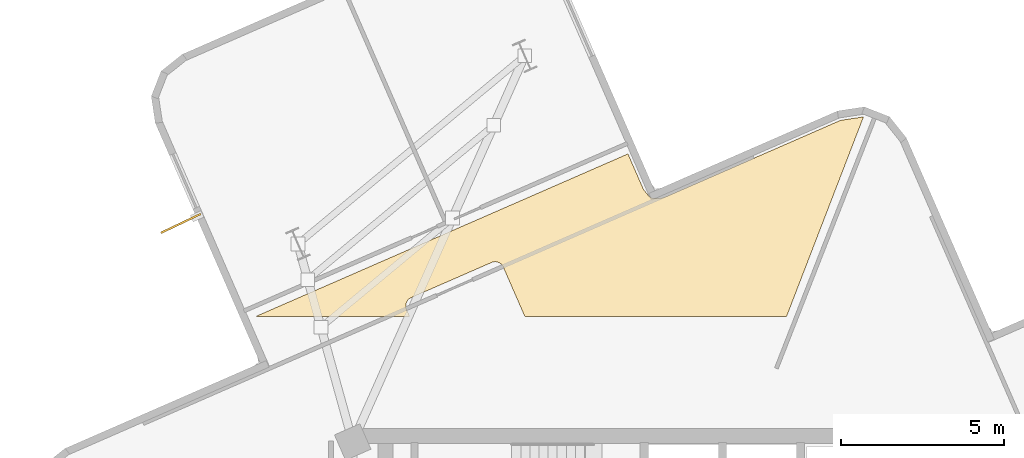
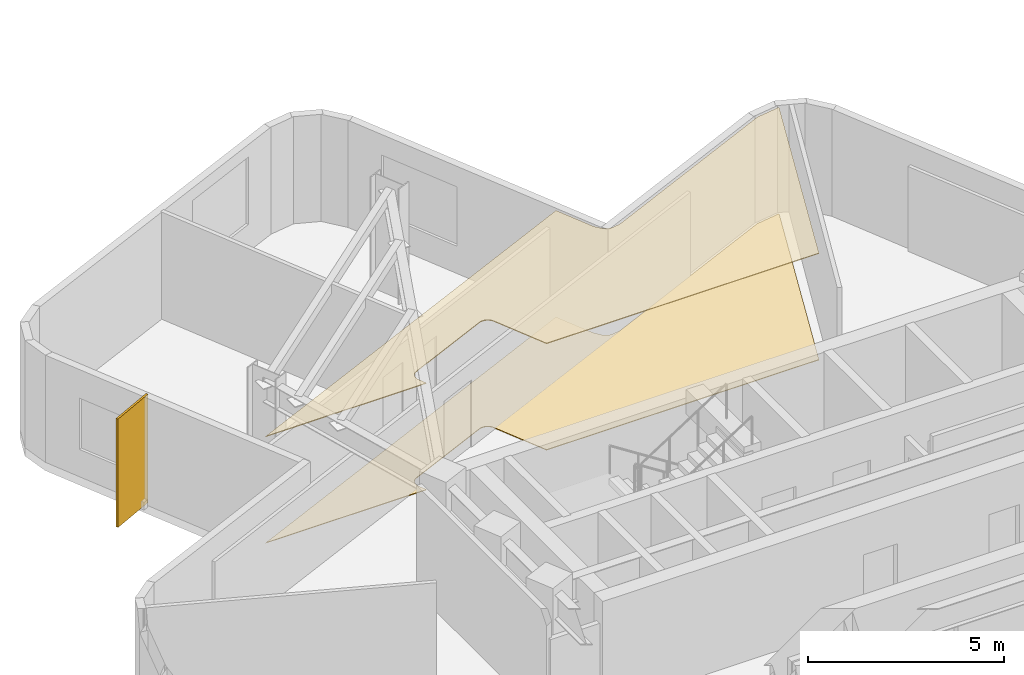
# One storey, part 8 of 8: 2 coverings, 1 shading device.
"""IFC4 building model written with IfcOpenShell, lengths in metres."""

from ifc_helpers import new_model, si_unit, direction, frame, origin, origin_2d, place, context, subcontext, project, spatial, polyline, rectangle, outline, extrude, material, layer, layer_set, type_object, element, save


model = new_model("IFC4")

# Units and contexts
model_context = context("Model", 3, precision=1e-05, world=origin(), true_north=direction((0.0, 1.0)))
body_context = subcontext(model_context, "Body", "Model", "MODEL_VIEW")
ifc_project = project(units=[si_unit("LENGTHUNIT", "METRE"), si_unit("AREAUNIT", "SQUARE_METRE"), si_unit("VOLUMEUNIT", "CUBIC_METRE"), si_unit("PLANEANGLEUNIT", "RADIAN"), si_unit("MASSUNIT", "GRAM", prefix="KILO")], contexts=[model_context])

# Site, building, storey
site_placement = place(None, origin())
site = spatial("IfcSite", under=ifc_project, at=site_placement, CompositionType="ELEMENT")
building_placement = place(site_placement, origin())
building = spatial("IfcBuilding", under=site, at=building_placement, Name="Solmarez Civic Tower", CompositionType="ELEMENT")
storey_placement = place(building_placement, frame((0.0, 0.0, 181.080078125)))
storey = spatial("IfcBuildingStorey", under=building, at=storey_placement, Name="L48", CompositionType="ELEMENT", Elevation=181.080078125)

# Coverings
ifc_material_1 = material(Name="Perforated Mineral-Fibre Acoustic Ceiling")
ifc_layer_1 = layer(ifc_material_1, 0.02490234375)
ifc_layer_set_1 = layer_set([ifc_layer_1], Name="Perforated Mineral-Fibre Acoustic Ceiling")
covering_type_1 = type_object("IfcCoveringType", Name="COV-CEIL-ACOUSTIC", PredefinedType="CEILING", material=ifc_layer_set_1)
covering_1_placement = place(storey_placement, frame((0.0, 0.0, 3.31494140625)))
element("IfcCovering", 1, at=covering_1_placement, inside=storey, type_object=covering_type_1, Name="L48 Suspended Acoustic Ceiling 2", PredefinedType="CEILING", context=body_context, shape_type="SweptSolid", body=[
    extrude(outline(polyline([(-11.841064453125, 12.199951171875), (-7.097900390625, 12.199951171875), (-7.197998046875, 12.427978515625), (-7.205078125, 12.446044921875), (-7.2080078125, 12.455078125), (-7.215087890625, 12.48193359375), (-7.216064453125, 12.487060546875), (-7.218994140625, 12.508056640625), (-7.219970703125, 12.530029296875), (-7.219970703125, 12.5400390625), (-7.218994140625, 12.56201171875), (-7.216064453125, 12.5830078125), (-7.215087890625, 12.587890625), (-7.214111328125, 12.593017578125), (-7.2119140625, 12.60205078125), (-7.20703125, 12.618896484375), (-7.200927734375, 12.635986328125), (-7.198974609375, 12.64111328125), (-7.19091796875, 12.657958984375), (-7.181884765625, 12.675048828125), (-7.16796875, 12.695068359375), (-7.162109375, 12.702880859375), (-7.14697265625, 12.720947265625), (-7.12890625, 12.738037109375), (-7.1220703125, 12.743896484375), (-7.10498046875, 12.758056640625), (-7.0859375, 12.76904296875), (-7.076904296875, 12.77392578125), (-7.05810546875, 12.783935546875), (-4.583984375, 13.864990234375), (-4.56591796875, 13.8720703125), (-4.556884765625, 13.875), (-4.530029296875, 13.882080078125), (-4.52490234375, 13.883056640625), (-4.50390625, 13.885986328125), (-4.48193359375, 13.886962890625), (-4.471923828125, 13.886962890625), (-4.449951171875, 13.885986328125), (-4.428955078125, 13.883056640625), (-4.424072265625, 13.882080078125), (-4.4189453125, 13.881103515625), (-4.409912109375, 13.87890625), (-4.39306640625, 13.8740234375), (-4.3759765625, 13.867919921875), (-4.37109375, 13.865966796875), (-4.35400390625, 13.85791015625), (-4.3369140625, 13.84912109375), (-4.321044921875, 13.837890625), (-4.30908203125, 13.8291015625), (-4.291015625, 13.81396484375), (-4.27392578125, 13.7958984375), (-4.26806640625, 13.7890625), (-4.25390625, 13.77197265625), (-4.242919921875, 13.7529296875), (-4.238037109375, 13.743896484375), (-4.22802734375, 13.72509765625), (-3.56201171875, 12.199951171875), (4.468994140625, 12.199951171875), (6.83203125, 18.330078125), (6.825927734375, 18.3330078125), (6.1259765625, 18.22705078125), (0.738037109375, 15.8720703125), (0.7099609375, 15.862060546875), (0.702880859375, 15.860107421875), (0.696044921875, 15.85791015625), (0.672119140625, 15.85302734375), (0.6630859375, 15.85107421875), (0.489990234375, 15.824951171875), (0.48291015625, 15.823974609375), (0.451904296875, 15.822021484375), (0.444091796875, 15.822021484375), (0.4130859375, 15.823974609375), (0.407958984375, 15.824951171875), (0.402099609375, 15.825927734375), (0.385009765625, 15.827880859375), (0.368896484375, 15.83203125), (0.362060546875, 15.833984375), (0.3349609375, 15.843994140625), (0.321044921875, 15.85009765625), (0.302001953125, 15.85888671875), (0.283935546875, 15.8701171875), (0.26708984375, 15.883056640625), (0.2548828125, 15.89208984375), (0.2490234375, 15.89697265625), (0.23388671875, 15.909912109375), (0.220947265625, 15.925048828125), (0.216064453125, 15.930908203125), (0.212890625, 15.93505859375), (0.10595703125, 16.070068359375), (0.10205078125, 16.074951171875), (0.091064453125, 16.090087890625), (0.0869140625, 16.095947265625), (0.072998046875, 16.1201171875), (0.070068359375, 16.1259765625), (0.06494140625, 16.135986328125), (-0.39892578125, 17.197998046875), (-11.841064453125, 12.199951171875)])), origin(), (0.0, 0.0, 1.0), 0.02490234375),
])
ifc_material_2 = material(Name="Polished Tropical Stone Terrazzo Flooring", Category="masonry")
ifc_layer_2 = layer(ifc_material_2, 0.02001953125)
ifc_layer_set_2 = layer_set([ifc_layer_2], Name="Polished Tropical Stone Terrazzo Flooring")
covering_type_2 = type_object("IfcCoveringType", Name="COV-FLOOR-TERRAZZO", PredefinedType="FLOORING", material=ifc_layer_set_2)
covering_2_placement = place(storey_placement, origin())
element("IfcCovering", 2, at=covering_2_placement, inside=storey, type_object=covering_type_2, Name="L48 Terrazzo Floor Finish 2", PredefinedType="FLOORING", context=body_context, shape_type="SweptSolid", body=[
    extrude(outline(polyline([(-11.841064453125, 12.199951171875), (-7.097900390625, 12.199951171875), (-7.197998046875, 12.427978515625), (-7.205078125, 12.446044921875), (-7.2080078125, 12.455078125), (-7.215087890625, 12.48193359375), (-7.216064453125, 12.487060546875), (-7.218994140625, 12.508056640625), (-7.219970703125, 12.530029296875), (-7.219970703125, 12.5400390625), (-7.218994140625, 12.56201171875), (-7.216064453125, 12.5830078125), (-7.215087890625, 12.587890625), (-7.214111328125, 12.593017578125), (-7.2119140625, 12.60205078125), (-7.20703125, 12.618896484375), (-7.200927734375, 12.635986328125), (-7.198974609375, 12.64111328125), (-7.19091796875, 12.657958984375), (-7.181884765625, 12.675048828125), (-7.16796875, 12.695068359375), (-7.162109375, 12.702880859375), (-7.14697265625, 12.720947265625), (-7.12890625, 12.738037109375), (-7.1220703125, 12.743896484375), (-7.10498046875, 12.758056640625), (-7.0859375, 12.76904296875), (-7.076904296875, 12.77392578125), (-7.05810546875, 12.783935546875), (-4.583984375, 13.864990234375), (-4.56591796875, 13.8720703125), (-4.556884765625, 13.875), (-4.530029296875, 13.882080078125), (-4.52490234375, 13.883056640625), (-4.50390625, 13.885986328125), (-4.48193359375, 13.886962890625), (-4.471923828125, 13.886962890625), (-4.449951171875, 13.885986328125), (-4.428955078125, 13.883056640625), (-4.424072265625, 13.882080078125), (-4.4189453125, 13.881103515625), (-4.409912109375, 13.87890625), (-4.39306640625, 13.8740234375), (-4.3759765625, 13.867919921875), (-4.37109375, 13.865966796875), (-4.35400390625, 13.85791015625), (-4.3369140625, 13.84912109375), (-4.321044921875, 13.837890625), (-4.30908203125, 13.8291015625), (-4.291015625, 13.81396484375), (-4.27392578125, 13.7958984375), (-4.26806640625, 13.7890625), (-4.25390625, 13.77197265625), (-4.242919921875, 13.7529296875), (-4.238037109375, 13.743896484375), (-4.22802734375, 13.72509765625), (-3.56201171875, 12.199951171875), (4.468994140625, 12.199951171875), (6.83203125, 18.330078125), (6.825927734375, 18.3330078125), (6.1259765625, 18.22705078125), (0.738037109375, 15.8720703125), (0.7099609375, 15.862060546875), (0.702880859375, 15.860107421875), (0.696044921875, 15.85791015625), (0.672119140625, 15.85302734375), (0.6630859375, 15.85107421875), (0.489990234375, 15.824951171875), (0.48291015625, 15.823974609375), (0.451904296875, 15.822021484375), (0.444091796875, 15.822021484375), (0.4130859375, 15.823974609375), (0.407958984375, 15.824951171875), (0.402099609375, 15.825927734375), (0.385009765625, 15.827880859375), (0.368896484375, 15.83203125), (0.362060546875, 15.833984375), (0.3349609375, 15.843994140625), (0.321044921875, 15.85009765625), (0.302001953125, 15.85888671875), (0.283935546875, 15.8701171875), (0.26708984375, 15.883056640625), (0.2548828125, 15.89208984375), (0.2490234375, 15.89697265625), (0.23388671875, 15.909912109375), (0.220947265625, 15.925048828125), (0.216064453125, 15.930908203125), (0.212890625, 15.93505859375), (0.10595703125, 16.070068359375), (0.10205078125, 16.074951171875), (0.091064453125, 16.090087890625), (0.0869140625, 16.095947265625), (0.072998046875, 16.1201171875), (0.070068359375, 16.1259765625), (0.06494140625, 16.135986328125), (-0.39892578125, 17.197998046875), (-11.841064453125, 12.199951171875)])), origin(), (0.0, 0.0, 1.0), 0.02001953125),
])

# Shading device
ifc_material_3 = material(Name="Bronze Anodised Aluminium EN AW-6063 T6", Category="aluminium")
ifc_layer_3 = layer(ifc_material_3, 0.06005859375)
ifc_layer_set_3 = layer_set([ifc_layer_3], Name="Bronze Anodised Aluminium EN AW-6063 T6")
shading_device_type = type_object("IfcShadingDeviceType", Name="FIN-BRONZE-Z34", PredefinedType="USERDEFINED", material=ifc_layer_set_3)
shading_device_placement = place(storey_placement, frame((-14.1279296875, 15.06396484375, -0.0400390625), z_axis=(0.0, 0.0, 1.0), x_axis=(-0.903110579136, -0.429408059837, 0.0)))
element("IfcShadingDevice", 3, at=shading_device_placement, inside=storey, type_object=shading_device_type, Name="L48 Anodised Bronze Solar Fin FIN-L48-04", ObjectType="FIN", PredefinedType="USERDEFINED", context=body_context, shape_type="SweptSolid", body=[
    extrude(rectangle(XDim=1.35009765625, YDim=0.06005859375, at=origin_2d()), origin(), (0.0, 0.0, 1.0), 3.3798828125),
])

save(model, "model.ifc")
